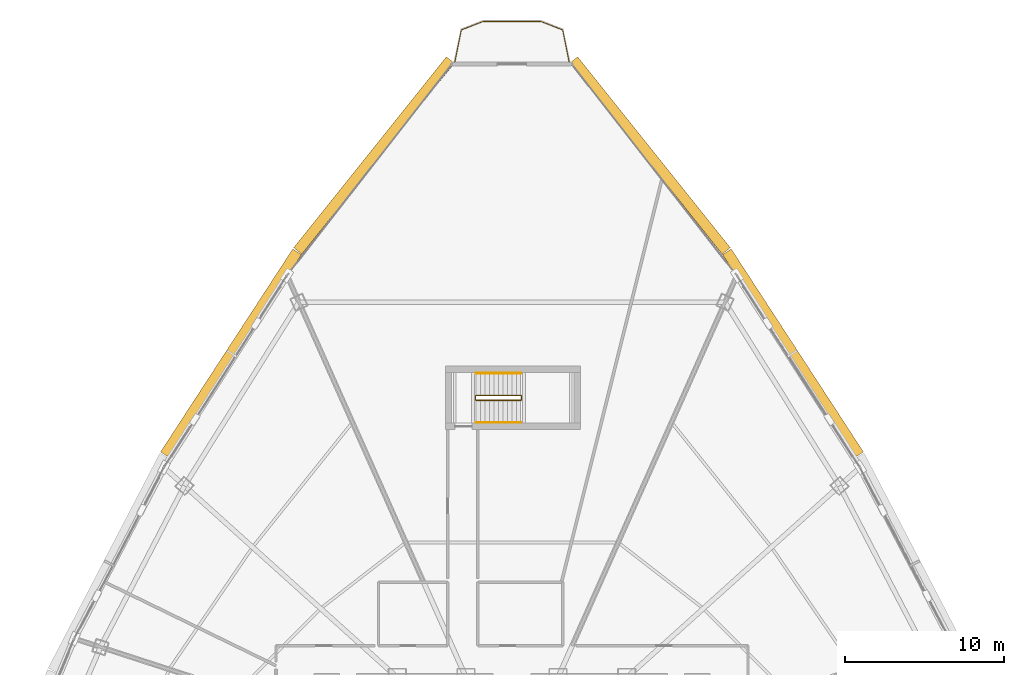
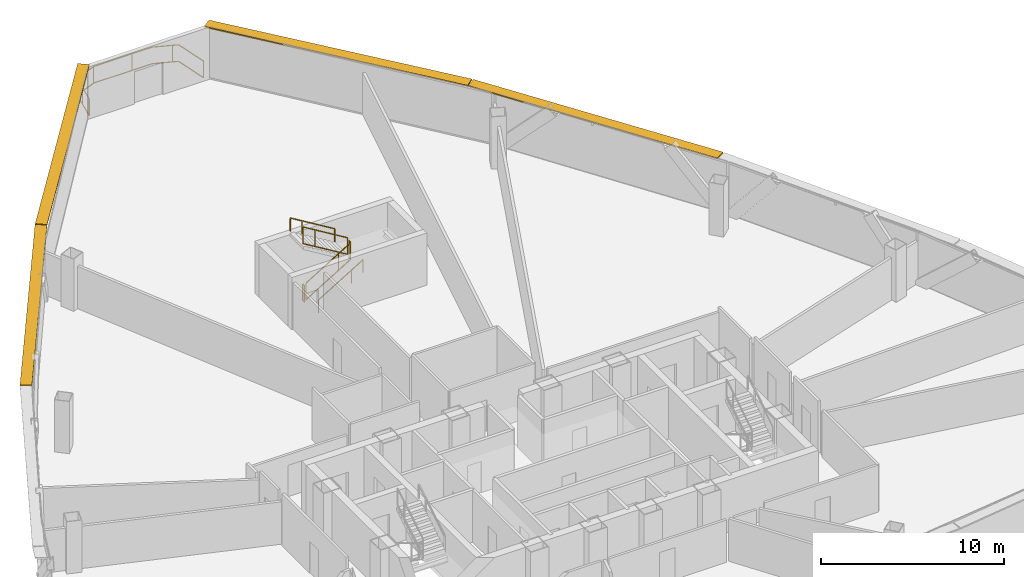
# One storey, part 36 of 37: 7 railings, 4 shading devices.
"""IFC4 building model written with IfcOpenShell, lengths in metres."""

from ifc_helpers import new_model, si_unit, direction, frame, origin, origin_2d, place, context, subcontext, project, spatial, rectangle, extrude, source, transform, mapped, material, layer, layer_set, type_object, element, save


model = new_model("IFC4")

# Units and contexts
model_context = context("Model", 3, precision=1e-05, world=origin(), true_north=direction((0.0, 1.0)))
body_context = subcontext(model_context, "Body", "Model", "MODEL_VIEW")
ifc_project = project(units=[si_unit("LENGTHUNIT", "METRE"), si_unit("AREAUNIT", "SQUARE_METRE"), si_unit("VOLUMEUNIT", "CUBIC_METRE"), si_unit("PLANEANGLEUNIT", "RADIAN"), si_unit("MASSUNIT", "GRAM", prefix="KILO"), si_unit("THERMODYNAMICTEMPERATUREUNIT", "KELVIN"), si_unit("POWERUNIT", "WATT")], contexts=[model_context])

# Site, building, storey
site_placement = place(None, origin())
site = spatial("IfcSite", under=ifc_project, at=site_placement, CompositionType="ELEMENT")
building_placement = place(site_placement, origin())
building = spatial("IfcBuilding", under=site, at=building_placement, Name="Yunzhuo Pagoda Commons", CompositionType="ELEMENT")
storey_placement = place(building_placement, frame((0.0, 0.0, 255.719970703125)))
storey = spatial("IfcBuildingStorey", under=building, at=storey_placement, Name="L64", CompositionType="ELEMENT", Elevation=255.719970703125)

# Railings
ifc_material = material(Name="Anodized aluminium 6063-T6", Category="aluminium")
railing_type_1 = type_object("IfcRailingType", Name="GR-ST3 North Well Guardrail 1155", PredefinedType="GUARDRAIL", material=ifc_material)
railing_1_placement = place(storey_placement, frame((45.75, 57.64990234375, 0.169677734375)))
element("IfcRailing", 1, at=railing_1_placement, inside=storey, type_object=railing_type_1, Name="L64 ST3 stair guard 1", PredefinedType="GUARDRAIL", context=body_context, shape_type="SweptSolid", body=[
    extrude(rectangle(XDim=0.048095703125, YDim=0.048095703125, at=origin_2d()), frame((0.0, 0.0, 1.1259765625), z_axis=(0.855426164822, 0.0, 0.517924778841), x_axis=(0.0, 1.0, 0.0)), (0.0, 0.0, 1.0), 3.273193359375),
    extrude(rectangle(XDim=0.048095703125, YDim=0.048095703125, at=origin_2d()), frame((0.0, 0.0, 0.02392578125), z_axis=(0.855426164822, 0.0, 0.517924778841), x_axis=(0.0, 1.0, 0.0)), (0.0, 0.0, 1.0), 3.273193359375),
    extrude(rectangle(XDim=0.0419921875, YDim=0.0419921875, at=origin_2d()), origin(), (0.0, 0.0, 1.0), 1.101806640625),
    extrude(rectangle(XDim=0.0419921875, YDim=0.0419921875, at=origin_2d()), frame((2.052978515625, 0.0, 1.242919921875)), (0.0, 0.0, 1.0), 1.101806640625),
    extrude(rectangle(XDim=0.0419921875, YDim=0.0419921875, at=origin_2d()), frame((2.800048828125, 0.0, 1.6953125)), (0.0, 0.0, 1.0), 1.101806640625),
])
railing_2_placement = place(storey_placement, frame((48.60009765625, 57.699951171875, 1.864990234375)))
element("IfcRailing", 2, at=railing_2_placement, inside=storey, type_object=railing_type_1, Name="L64 ST3 stair guard 2", PredefinedType="GUARDRAIL", context=body_context, shape_type="SweptSolid", body=[
    extrude(rectangle(XDim=0.048095703125, YDim=0.048095703125, at=origin_2d()), frame((0.0, 0.0, 1.1259765625), z_axis=(0.0, 1.0, 0.0), x_axis=(-1.0, 0.0, 0.0)), (0.0, 0.0, 1.0), 0.199951171875),
    extrude(rectangle(XDim=0.048095703125, YDim=0.048095703125, at=origin_2d()), frame((0.0, 0.0, 0.02392578125), z_axis=(0.0, 1.0, 0.0), x_axis=(-1.0, 0.0, 0.0)), (0.0, 0.0, 1.0), 0.199951171875),
    extrude(rectangle(XDim=0.0419921875, YDim=0.0419921875, at=origin_2d()), origin(), (0.0, 0.0, 1.0), 1.101806640625),
    extrude(rectangle(XDim=0.0419921875, YDim=0.0419921875, at=origin_2d()), frame((0.0, 0.199951171875, 0.0)), (0.0, 0.0, 1.0), 1.101806640625),
])
railing_3_placement = place(storey_placement, frame((48.550048828125, 57.949951171875, 2.03466796875)))
element("IfcRailing", 3, at=railing_3_placement, inside=storey, type_object=railing_type_1, Name="L64 ST3 stair guard 3", PredefinedType="GUARDRAIL", context=body_context, shape_type="SweptSolid", body=[
    extrude(rectangle(XDim=0.048095703125, YDim=0.048095703125, at=origin_2d()), frame((0.0, 0.0, 1.1259765625), z_axis=(-0.855426164822, 0.0, 0.517924778841), x_axis=(0.0, -1.0, 0.0)), (0.0, 0.0, 1.0), 3.273193359375),
    extrude(rectangle(XDim=0.048095703125, YDim=0.048095703125, at=origin_2d()), frame((0.0, 0.0, 0.02392578125), z_axis=(-0.855426164822, 0.0, 0.517924778841), x_axis=(0.0, -1.0, 0.0)), (0.0, 0.0, 1.0), 3.273193359375),
    extrude(rectangle(XDim=0.0419921875, YDim=0.0419921875, at=origin_2d()), origin(), (0.0, 0.0, 1.0), 1.101806640625),
    extrude(rectangle(XDim=0.0419921875, YDim=0.0419921875, at=origin_2d()), frame((-2.052978515625, 0.0, 1.242919921875)), (0.0, 0.0, 1.0), 1.101806640625),
    extrude(rectangle(XDim=0.0419921875, YDim=0.0419921875, at=origin_2d()), frame((-2.800048828125, 0.0, 1.6953125)), (0.0, 0.0, 1.0), 1.101806640625),
])
railing_4_placement = place(storey_placement, frame((45.699951171875, 57.699951171875, 0.0)))
element("IfcRailing", 4, at=railing_4_placement, inside=storey, type_object=railing_type_1, Name="L64 ST3 stair guard 4", PredefinedType="GUARDRAIL", context=body_context, shape_type="SweptSolid", body=[
    extrude(rectangle(XDim=0.048095703125, YDim=0.048095703125, at=origin_2d()), frame((0.0, 0.0, 1.1259765625), z_axis=(0.0, 1.0, 0.0), x_axis=(-1.0, 0.0, 0.0)), (0.0, 0.0, 1.0), 0.199951171875),
    extrude(rectangle(XDim=0.048095703125, YDim=0.048095703125, at=origin_2d()), frame((0.0, 0.0, 0.02392578125), z_axis=(0.0, 1.0, 0.0), x_axis=(-1.0, 0.0, 0.0)), (0.0, 0.0, 1.0), 0.199951171875),
    extrude(rectangle(XDim=0.0419921875, YDim=0.0419921875, at=origin_2d()), origin(), (0.0, 0.0, 1.0), 1.101806640625),
    extrude(rectangle(XDim=0.0419921875, YDim=0.0419921875, at=origin_2d()), frame((0.0, 0.199951171875, 0.0)), (0.0, 0.0, 1.0), 1.101806640625),
])
railing_type_2 = type_object("IfcRailingType", Name="HR-ST3 North Stair Handrail 900", PredefinedType="HANDRAIL", material=ifc_material)
railing_5_placement = place(storey_placement, frame((45.75, 56.25, 0.169677734375)))
element("IfcRailing", 5, at=railing_5_placement, inside=storey, type_object=railing_type_2, Name="L64 ST3 stair handrail 1", PredefinedType="HANDRAIL", context=body_context, shape_type="SweptSolid", body=[
    extrude(rectangle(XDim=0.048095703125, YDim=0.048095703125, at=origin_2d()), frame((0.0, 0.0, 0.8759765625), z_axis=(0.855426164822, 0.0, 0.517924778841), x_axis=(0.0, 1.0, 0.0)), (0.0, 0.0, 1.0), 3.273193359375),
    extrude(rectangle(XDim=0.0419921875, YDim=0.0419921875, at=origin_2d()), origin(), (0.0, 0.0, 1.0), 0.851806640625),
    extrude(rectangle(XDim=0.0419921875, YDim=0.0419921875, at=origin_2d()), frame((2.052978515625, 0.0, 1.242919921875)), (0.0, 0.0, 1.0), 0.851806640625),
    extrude(rectangle(XDim=0.0419921875, YDim=0.0419921875, at=origin_2d()), frame((2.800048828125, 0.0, 1.6953125)), (0.0, 0.0, 1.0), 0.851806640625),
])
railing_6_placement = place(storey_placement, frame((48.550048828125, 59.35009765625, 2.03466796875)))
element("IfcRailing", 6, at=railing_6_placement, inside=storey, type_object=railing_type_2, Name="L64 ST3 stair handrail 2", PredefinedType="HANDRAIL", context=body_context, shape_type="SweptSolid", body=[
    extrude(rectangle(XDim=0.048095703125, YDim=0.048095703125, at=origin_2d()), frame((0.0, 0.0, 0.8759765625), z_axis=(-0.855426164822, 0.0, 0.517924778841), x_axis=(0.0, -1.0, 0.0)), (0.0, 0.0, 1.0), 3.273193359375),
    extrude(rectangle(XDim=0.0419921875, YDim=0.0419921875, at=origin_2d()), origin(), (0.0, 0.0, 1.0), 0.851806640625),
    extrude(rectangle(XDim=0.0419921875, YDim=0.0419921875, at=origin_2d()), frame((-2.052978515625, 0.0, 1.242919921875)), (0.0, 0.0, 1.0), 0.851806640625),
    extrude(rectangle(XDim=0.0419921875, YDim=0.0419921875, at=origin_2d()), frame((-2.800048828125, 0.0, 1.6953125)), (0.0, 0.0, 1.0), 0.851806640625),
])
railing_type_3 = type_object("IfcRailingType", Name="RL-BAL1 Exterior Terrace & Balcony Balustrade 1150", PredefinedType="BALUSTRADE", material=ifc_material)
railing_7_placement = place(storey_placement, frame((51.596435546875, 78.92724609375, 0.0)))
element("IfcRailing", 7, at=railing_7_placement, inside=storey, type_object=railing_type_3, Name="L64 corner balcony balustrade V3", PredefinedType="BALUSTRADE", context=body_context, shape_type="SweptSolid", body=[
    extrude(rectangle(XDim=0.048095703125, YDim=0.048095703125, at=origin_2d()), frame((0.0, 0.0, 1.1259765625), z_axis=(-0.194314652384, 0.980939251875, 0.0), x_axis=(-0.980939251875, -0.194314652384, 0.0)), (0.0, 0.0, 1.0), 2.059326171875),
    extrude(rectangle(XDim=0.048095703125, YDim=0.048095703125, at=origin_2d()), frame((0.0, 0.0, 0.02392578125), z_axis=(-0.194314652384, 0.980939251875, 0.0), x_axis=(-0.980939251875, -0.194314652384, 0.0)), (0.0, 0.0, 1.0), 2.059326171875),
    extrude(rectangle(XDim=0.048095703125, YDim=0.048095703125, at=origin_2d()), frame((-0.400146484375, 2.02001953125, 1.1259765625), z_axis=(-0.931573469696, 0.363553119308, 0.0), x_axis=(-0.363553119308, -0.931573469696, 0.0)), (0.0, 0.0, 1.0), 1.4580078125),
    extrude(rectangle(XDim=0.048095703125, YDim=0.048095703125, at=origin_2d()), frame((-0.400146484375, 2.02001953125, 0.02392578125), z_axis=(-0.931573469696, 0.363553119308, 0.0), x_axis=(-0.363553119308, -0.931573469696, 0.0)), (0.0, 0.0, 1.0), 1.4580078125),
    extrude(rectangle(XDim=0.048095703125, YDim=0.048095703125, at=origin_2d()), frame((-1.75830078125, 2.550048828125, 1.1259765625), z_axis=(-1.0, 0.0, 0.0), x_axis=(0.0, -1.0, 0.0)), (0.0, 0.0, 1.0), 3.67626953125),
    extrude(rectangle(XDim=0.048095703125, YDim=0.048095703125, at=origin_2d()), frame((-1.75830078125, 2.550048828125, 0.02392578125), z_axis=(-1.0, 0.0, 0.0), x_axis=(0.0, -1.0, 0.0)), (0.0, 0.0, 1.0), 3.67626953125),
    extrude(rectangle(XDim=0.048095703125, YDim=0.048095703125, at=origin_2d()), frame((-5.4345703125, 2.550048828125, 1.1259765625), z_axis=(-0.931573469696, -0.363553119308, 0.0), x_axis=(0.363553119308, -0.931573469696, 0.0)), (0.0, 0.0, 1.0), 1.4580078125),
    extrude(rectangle(XDim=0.048095703125, YDim=0.048095703125, at=origin_2d()), frame((-5.4345703125, 2.550048828125, 0.02392578125), z_axis=(-0.931573469696, -0.363553119308, 0.0), x_axis=(0.363553119308, -0.931573469696, 0.0)), (0.0, 0.0, 1.0), 1.4580078125),
    extrude(rectangle(XDim=0.048095703125, YDim=0.048095703125, at=origin_2d()), frame((-6.792724609375, 2.02001953125, 1.1259765625), z_axis=(-0.194314652384, -0.980939251875, 0.0), x_axis=(0.980939251875, -0.194314652384, 0.0)), (0.0, 0.0, 1.0), 2.059326171875),
    extrude(rectangle(XDim=0.048095703125, YDim=0.048095703125, at=origin_2d()), frame((-6.792724609375, 2.02001953125, 0.02392578125), z_axis=(-0.194314652384, -0.980939251875, 0.0), x_axis=(0.980939251875, -0.194314652384, 0.0)), (0.0, 0.0, 1.0), 2.059326171875),
    extrude(rectangle(XDim=0.0419921875, YDim=0.0419921875, at=origin_2d()), origin(), (0.0, 0.0, 1.0), 1.101806640625),
    extrude(rectangle(XDim=0.0419921875, YDim=0.0419921875, at=origin_2d()), frame((-0.717529296875, 2.143798828125, 0.0)), (0.0, 0.0, 1.0), 1.101806640625),
    extrude(rectangle(XDim=0.0419921875, YDim=0.0419921875, at=origin_2d()), frame((-3.041015625, 2.550048828125, 0.0)), (0.0, 0.0, 1.0), 1.101806640625),
    extrude(rectangle(XDim=0.0419921875, YDim=0.0419921875, at=origin_2d()), frame((-5.440673828125, 2.547607421875, 0.0)), (0.0, 0.0, 1.0), 1.101806640625),
    extrude(rectangle(XDim=0.0419921875, YDim=0.0419921875, at=origin_2d()), frame((-6.97705078125, 1.08935546875, 0.0)), (0.0, 0.0, 1.0), 1.101806640625),
    extrude(rectangle(XDim=0.0419921875, YDim=0.0419921875, at=origin_2d()), frame((-7.19287109375, 0.0, 0.0)), (0.0, 0.0, 1.0), 1.101806640625),
])

# Shading devices
ifc_layer = layer(ifc_material, 0.080078125)
ifc_layer_set = layer_set([ifc_layer], Name="Anodized aluminium 6063-T6")
shading_device_type = type_object("IfcShadingDeviceType", Name="SH-SUN1 Pagoda Horizontal Sunshade Eave 650", PredefinedType="USERDEFINED", material=ifc_layer_set)
shared_shape_1 = source(origin(), body_context, "Body", "SweptSolid", [
    extrude(rectangle(XDim=15.388671875, YDim=0.64990234375, at=origin_2d()), origin(), (0.0, 0.0, 1.0), 0.080078125),
])
for number, where, z_axis, x_axis, name in (
    (8, (56.681640625, 73.052001953125, 3.389892578125), (0.0, 0.0, 1.0), (-0.624520471688, 0.781008438138, 0.0), "L64 horizontal pagoda sunshade eave F2.4"),
    (9, (39.318359375, 73.052001953125, 3.389892578125), (0.0, 0.0, 1.0), (-0.624520471688, -0.781008438138, 0.0), "L64 horizontal pagoda sunshade eave F3.1"),
):
    element("IfcShadingDevice", number, at=place(storey_placement, frame(where, z_axis=z_axis, x_axis=x_axis)), inside=storey, type_object=shading_device_type, Name=name, ObjectType="SUNSHADE", PredefinedType="USERDEFINED", context=body_context, shape_type="MappedRepresentation", body=[
        mapped(shared_shape_1, transform((0.0, 0.0, 0.0), scale=1.0)),
    ])
shared_shape_2 = source(origin(), body_context, "Body", "SweptSolid", [
    extrude(rectangle(XDim=15.242431640625, YDim=0.64990234375, at=origin_2d()), origin(), (0.0, 0.0, 1.0), 0.080078125),
])
for number, where, z_axis, x_axis, name in (
    (10, (65.683837890625, 60.605712890625, 3.389892578125), (0.0, 0.0, 1.0), (-0.545838756973, 0.837890238269, 0.0), "L64 horizontal pagoda sunshade eave F2.3"),
    (11, (30.316162109375, 60.605712890625, 3.389892578125), (0.0, 0.0, 1.0), (-0.545838756973, -0.837890238269, 0.0), "L64 horizontal pagoda sunshade eave F3.2"),
):
    element("IfcShadingDevice", number, at=place(storey_placement, frame(where, z_axis=z_axis, x_axis=x_axis)), inside=storey, type_object=shading_device_type, Name=name, ObjectType="SUNSHADE", PredefinedType="USERDEFINED", context=body_context, shape_type="MappedRepresentation", body=[
        mapped(shared_shape_2, transform((0.0, 0.0, 0.0), scale=1.0)),
    ])

save(model, "model.ifc")
